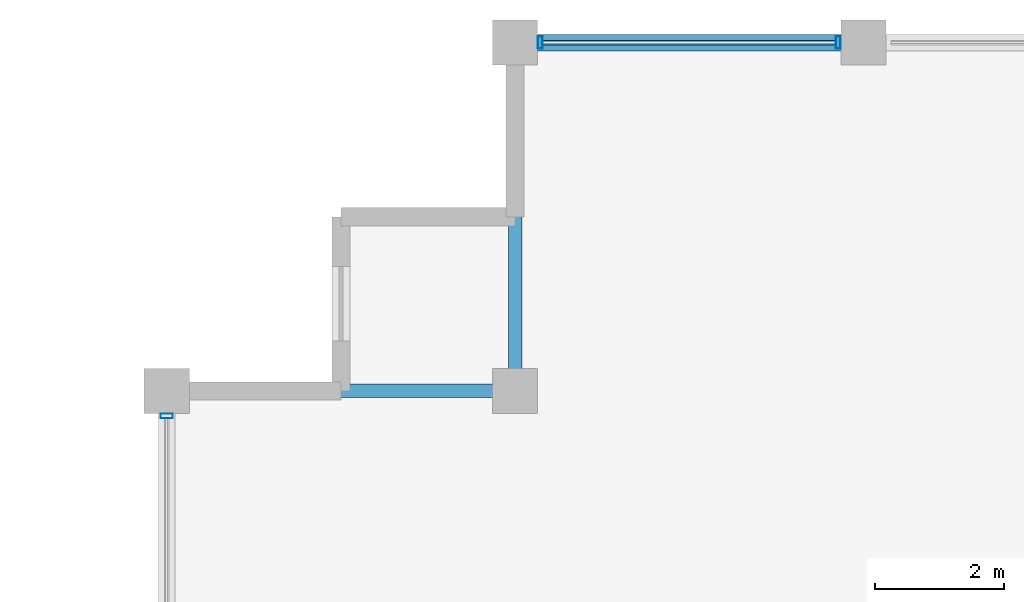
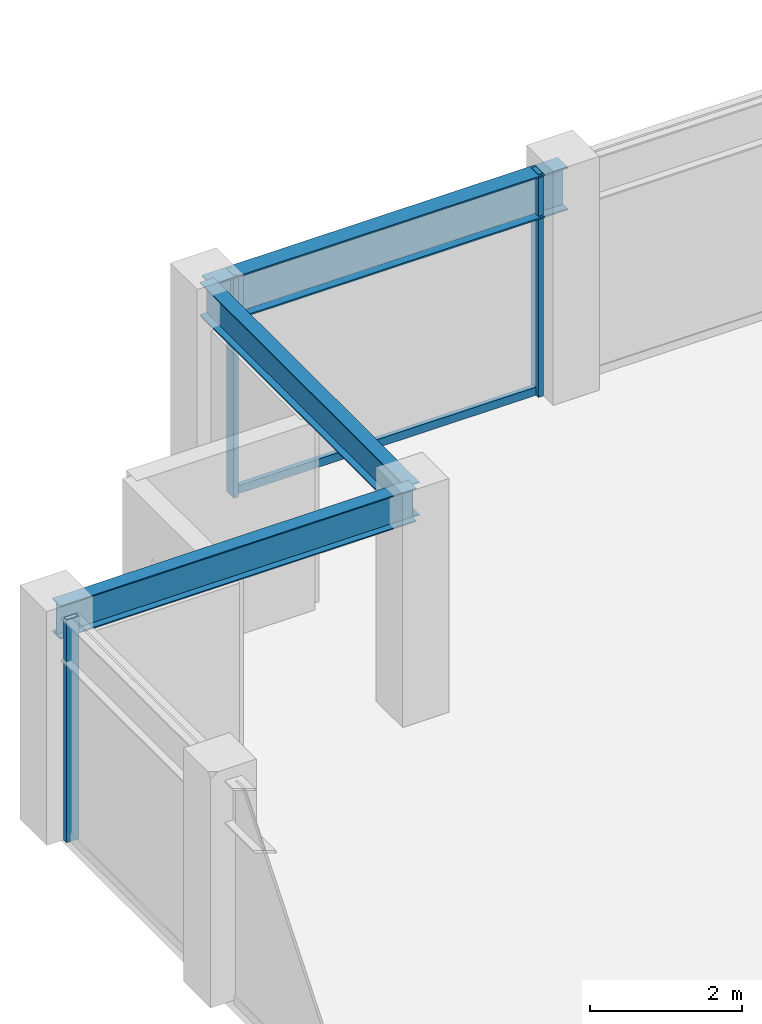
# One storey, part 15 of 31: 4 members, 3 beams, 2 elements without a shape of their own.
"""IFC4 building model written with IfcOpenShell, lengths in metres."""

from ifc_helpers import new_model, si_unit, direction, frame, origin, origin_2d, place, context, subcontext, project, spatial, hollow_rectangle, i_section, extrude, material, layer, layer_set, material_profile, profile_set, type_object, element, aggregate, save


model = new_model("IFC4")

# Units and contexts
model_context = context("Model", 3, precision=1e-05, world=origin(), true_north=direction((0.0, 1.0)))
body_context = subcontext(model_context, "Body", "Model", "MODEL_VIEW")
ifc_project = project(units=[si_unit("LENGTHUNIT", "METRE"), si_unit("AREAUNIT", "SQUARE_METRE"), si_unit("VOLUMEUNIT", "CUBIC_METRE"), si_unit("PLANEANGLEUNIT", "RADIAN"), si_unit("MASSUNIT", "GRAM", prefix="KILO")], contexts=[model_context])

# Site, building, storey
site_placement = place(None, origin())
site = spatial("IfcSite", under=ifc_project, at=site_placement, CompositionType="ELEMENT")
building_placement = place(site_placement, origin())
building = spatial("IfcBuilding", under=site, at=building_placement, Name="Surkhivell Harbour Commons", CompositionType="ELEMENT")
storey_placement = place(building_placement, frame((0.0, 0.0, 322.5)))
storey = spatial("IfcBuildingStorey", under=building, at=storey_placement, Name="L84", CompositionType="ELEMENT", Elevation=322.5)

# Beams
ifc_material_1 = material(Name="Steel S355", Category="steel")
ifc_material_profile_1 = material_profile(ifc_material_1, i_section(OverallWidth=0.2099609375, OverallDepth=0.537109375, WebThickness=0.0107421875, FlangeThickness=0.017333984375, at=origin_2d()), Name="UB533x210x101")
ifc_profile_set_1 = profile_set([ifc_material_profile_1], Name="Steel S355")
beam_type_1 = type_object("IfcBeamType", Name="BM-GRD-533B", PredefinedType="BEAM", material=ifc_profile_set_1)
for number, where, z_axis, x_axis, name in (
    (1, (-27.0, 20.5, 3.301513671875), (1.0, 0.0, 0.0), (0.0, 1.0, 0.0), "L84 Floor Girder (-27.0,20.5)"),
    (2, (-21.60009765625, 20.5, 3.301513671875), (0.0, 1.0, 0.0), (-1.0, 0.0, 0.0), "L84 Floor Girder (-21.6,20.5)"),
):
    element("IfcBeam", number, at=place(storey_placement, frame(where, z_axis=z_axis, x_axis=x_axis)), inside=storey, type_object=beam_type_1, Name=name, PredefinedType="BEAM", context=body_context, shape_type="SweptSolid", body=[
        extrude(i_section(OverallWidth=0.2099609375, OverallDepth=0.537109375, WebThickness=0.0107421875, FlangeThickness=0.017333984375, at=origin_2d()), origin(), (0.0, 0.0, 1.0), 5.39990234375),
    ])
ifc_material_profile_2 = material_profile(ifc_material_1, i_section(OverallWidth=0.256103515625, OverallDepth=0.693115234375, WebThickness=0.014404296875, FlangeThickness=0.023681640625, at=origin_2d()), Name="UB686x254x170")
ifc_profile_set_2 = profile_set([ifc_material_profile_2], Name="Steel S355")
beam_type_2 = type_object("IfcBeamType", Name="BM-SPN-686", PredefinedType="SPANDREL", material=ifc_profile_set_2)
beam_placement = place(storey_placement, frame((-21.60009765625, 25.89990234375, 3.223388671875), z_axis=(1.0, 0.0, 0.0), x_axis=(0.0, 1.0, 0.0)))
element("IfcBeam", 3, at=beam_placement, inside=storey, type_object=beam_type_2, Name="L84 Tube Spandrel (-21.6,25.9)", PredefinedType="SPANDREL", context=body_context, shape_type="SweptSolid", body=[
    extrude(i_section(OverallWidth=0.256103515625, OverallDepth=0.693115234375, WebThickness=0.014404296875, FlangeThickness=0.023681640625, at=origin_2d()), origin(), (0.0, 0.0, 1.0), 5.400146484375),
])

# Curtain wall, members
ifc_material_2 = material(Name="Anodised pale-metal aluminium and insulated glazing", Category="aluminium")
ifc_layer = layer(ifc_material_2, 0.175048828125)
ifc_layer_set = layer_set([ifc_layer], Name="Anodised pale-metal aluminium and insulated glazing")
curtain_wall_type = type_object("IfcCurtainWallType", Name="CW-SYS-Z4", PredefinedType="NOTDEFINED", material=ifc_layer_set)
curtain_wall_1_placement = place(storey_placement, origin())
curtain_wall_1 = element("IfcCurtainWall", 4, at=curtain_wall_1_placement, inside=storey, type_object=curtain_wall_type, Name="L84 Curtain Wall CW-L84-E07S2", PredefinedType="NOTDEFINED")
ifc_material_3 = material(Name="Anodised pale-metal aluminium alloy 6063-T6", Category="aluminium")
ifc_material_profile_3 = material_profile(ifc_material_3, hollow_rectangle(XDim=0.074951171875, YDim=0.18994140625, WallThickness=0.00390625, at=origin_2d()), Name="ALU-MULL-75x190")
ifc_profile_set_3 = profile_set([ifc_material_profile_3], Name="Anodised pale-metal aluminium alloy 6063-T6")
member_type_1 = type_object("IfcMemberType", Name="CWM-190", PredefinedType="MULLION", material=ifc_profile_set_3)
member_1_placement = place(storey_placement, frame((-16.589599609375, 25.89990234375, 0.0), z_axis=(0.0, 0.0, 1.0), x_axis=(-1.0, 0.0, 0.0)))
member_1 = element("IfcMember", 5, at=member_1_placement, type_object=member_type_1, Name="CW-Z4 mullion 3", PredefinedType="MULLION", context=body_context, shape_type="SweptSolid", body=[
    extrude(hollow_rectangle(XDim=0.074951171875, YDim=0.18994140625, WallThickness=0.00390625, at=origin_2d()), origin(), (0.0, 0.0, 1.0), 3.570068359375),
])
member_2_placement = place(storey_placement, frame((-21.21044921875, 25.89990234375, 0.0), z_axis=(0.0, 0.0, 1.0), x_axis=(-1.0, 0.0, 0.0)))
member_2 = element("IfcMember", 6, at=member_2_placement, type_object=member_type_1, Name="CW-Z4 mullion 4", PredefinedType="MULLION", context=body_context, shape_type="SweptSolid", body=[
    extrude(hollow_rectangle(XDim=0.074951171875, YDim=0.18994140625, WallThickness=0.00390625, at=origin_2d()), origin(), (0.0, 0.0, 1.0), 3.570068359375),
])

# Curtain wall, member
curtain_wall_2_placement = place(storey_placement, origin())
curtain_wall_2 = element("IfcCurtainWall", 7, at=curtain_wall_2_placement, inside=storey, type_object=curtain_wall_type, Name="L84 Curtain Wall CW-L84-E12R2", PredefinedType="NOTDEFINED")
member_3_placement = place(storey_placement, frame((-27.0, 20.110595703125, 0.0), z_axis=(0.0, 0.0, 1.0), x_axis=(0.0, 1.0, 0.0)))
member_3 = element("IfcMember", 8, at=member_3_placement, type_object=member_type_1, Name="CW-Z4 mullion 4", PredefinedType="MULLION", context=body_context, shape_type="SweptSolid", body=[
    extrude(hollow_rectangle(XDim=0.074951171875, YDim=0.18994140625, WallThickness=0.00390625, at=origin_2d()), origin(), (0.0, 0.0, 1.0), 3.570068359375),
])
aggregate(curtain_wall_2, [member_3])

# Member
ifc_material_4 = material(Name="Champagne anodised aluminium alloy 6063-T6", Category="aluminium")
ifc_material_profile_4 = material_profile(ifc_material_4, hollow_rectangle(XDim=0.070068359375, YDim=0.1298828125, WallThickness=0.00341796875, at=origin_2d()), Name="ALU-TRAN-70x130")
ifc_profile_set_4 = profile_set([ifc_material_profile_4], Name="Champagne anodised aluminium alloy 6063-T6")
member_type_2 = type_object("IfcMemberType", Name="CWT-130", PredefinedType="USERDEFINED", material=ifc_profile_set_4)
member_4_placement = place(storey_placement, frame((-16.626953125, 25.89990234375, 0.06494140625), z_axis=(-1.0, 0.0, 0.0), x_axis=(0.0, -1.0, 0.0)))
member_4 = element("IfcMember", 9, at=member_4_placement, type_object=member_type_2, Name="CW-Z4 transom 3.1", ObjectType="TRANSOM", PredefinedType="USERDEFINED", context=body_context, shape_type="SweptSolid", body=[
    extrude(hollow_rectangle(XDim=0.070068359375, YDim=0.1298828125, WallThickness=0.00341796875, at=origin_2d()), origin(), (0.0, 0.0, 1.0), 4.546142578125),
])

aggregate(curtain_wall_1, [member_1, member_2, member_4])

save(model, "model.ifc")
